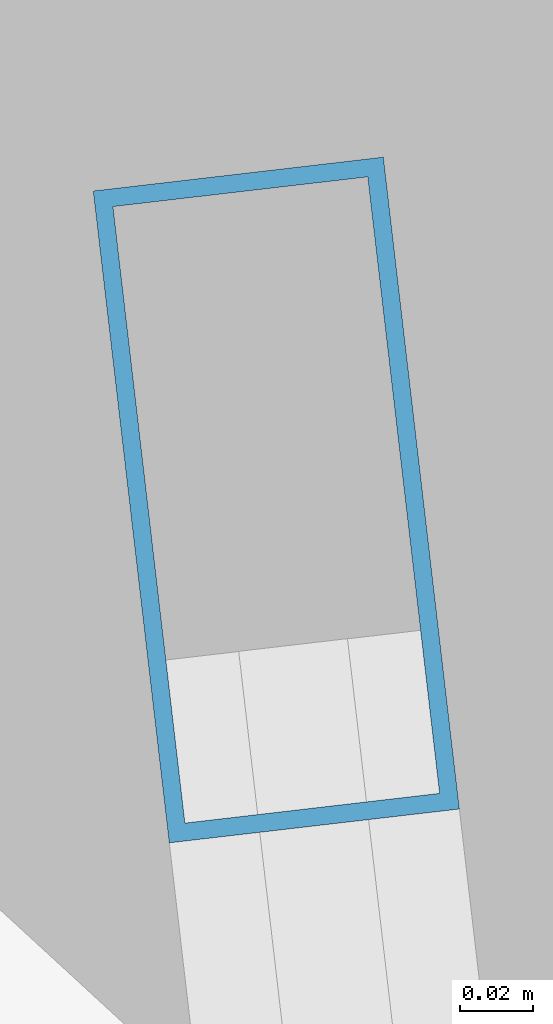
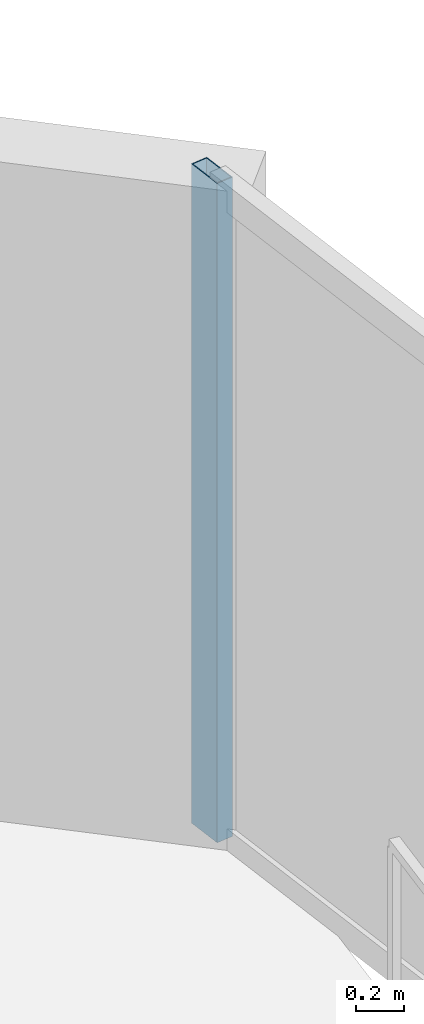
# One storey, part 22 of 31: 1 member, 1 element without a shape of its own.
"""IFC4 building model written with IfcOpenShell, lengths in metres."""

from ifc_helpers import new_model, si_unit, direction, frame, origin, origin_2d, place, context, subcontext, project, spatial, hollow_rectangle, extrude, material, layer, layer_set, material_profile, profile_set, type_object, element, aggregate, save


model = new_model("IFC4")

# Units and contexts
model_context = context("Model", 3, precision=1e-05, world=origin(), true_north=direction((0.0, 1.0)))
body_context = subcontext(model_context, "Body", "Model", "MODEL_VIEW")
ifc_project = project(units=[si_unit("LENGTHUNIT", "METRE"), si_unit("AREAUNIT", "SQUARE_METRE"), si_unit("VOLUMEUNIT", "CUBIC_METRE"), si_unit("PLANEANGLEUNIT", "RADIAN"), si_unit("MASSUNIT", "GRAM", prefix="KILO")], contexts=[model_context])

# Site, building, storey
site_placement = place(None, origin())
site = spatial("IfcSite", under=ifc_project, at=site_placement, CompositionType="ELEMENT")
building_placement = place(site_placement, origin())
building = spatial("IfcBuilding", under=site, at=building_placement, Name="Kazevale Care Tower and Concert Hall", CompositionType="ELEMENT")
storey_placement = place(building_placement, frame((0.0, 0.0, 238.800048828125)))
storey = spatial("IfcBuildingStorey", under=building, at=storey_placement, Name="L63", CompositionType="ELEMENT", Elevation=238.800048828125)

# Curtain wall, member
ifc_material_1 = material(Name="Aluminium 6063-T6 and Low-E Glass", Category="aluminium")
ifc_layer = layer(ifc_material_1, 0.179931640625)
ifc_layer_set = layer_set([ifc_layer], Name="Aluminium 6063-T6 and Low-E Glass")
curtain_wall_type = type_object("IfcCurtainWallType", Name="Waist & Upper Residential Curtain Wall CW-4", PredefinedType="NOTDEFINED", material=ifc_layer_set)
curtain_wall_placement = place(storey_placement, origin())
curtain_wall = element("IfcCurtainWall", 1, at=curtain_wall_placement, inside=storey, type_object=curtain_wall_type, Name="cw:L63:f18", PredefinedType="NOTDEFINED")
ifc_material_2 = material(Name="Aluminium 6063-T6", Category="aluminium")
ifc_material_profile = material_profile(ifc_material_2, hollow_rectangle(XDim=0.080078125, YDim=0.179931640625, WallThickness=0.0048828125, at=origin_2d()), Name="ALU80x180x5")
ifc_profile_set = profile_set([ifc_material_profile], Name="Aluminium 6063-T6")
member_type = type_object("IfcMemberType", Name="CW-4 Mullion ALU80x180x5", PredefinedType="MULLION", material=ifc_profile_set)
member_placement = place(storey_placement, frame((75.2255859375, 49.955322265625, 0.0), z_axis=(0.0, 0.0, 1.0), x_axis=(0.993267109779, 0.115846659989, 0.0)))
member = element("IfcMember", 2, at=member_placement, type_object=member_type, Name="CW-4 mullion 1", PredefinedType="MULLION", context=body_context, shape_type="SweptSolid", body=[
    extrude(hollow_rectangle(XDim=0.080078125, YDim=0.179931640625, WallThickness=0.0048828125, at=origin_2d()), origin(), (0.0, 0.0, 1.0), 3.35986328125),
])
aggregate(curtain_wall, [member])

save(model, "model.ifc")
